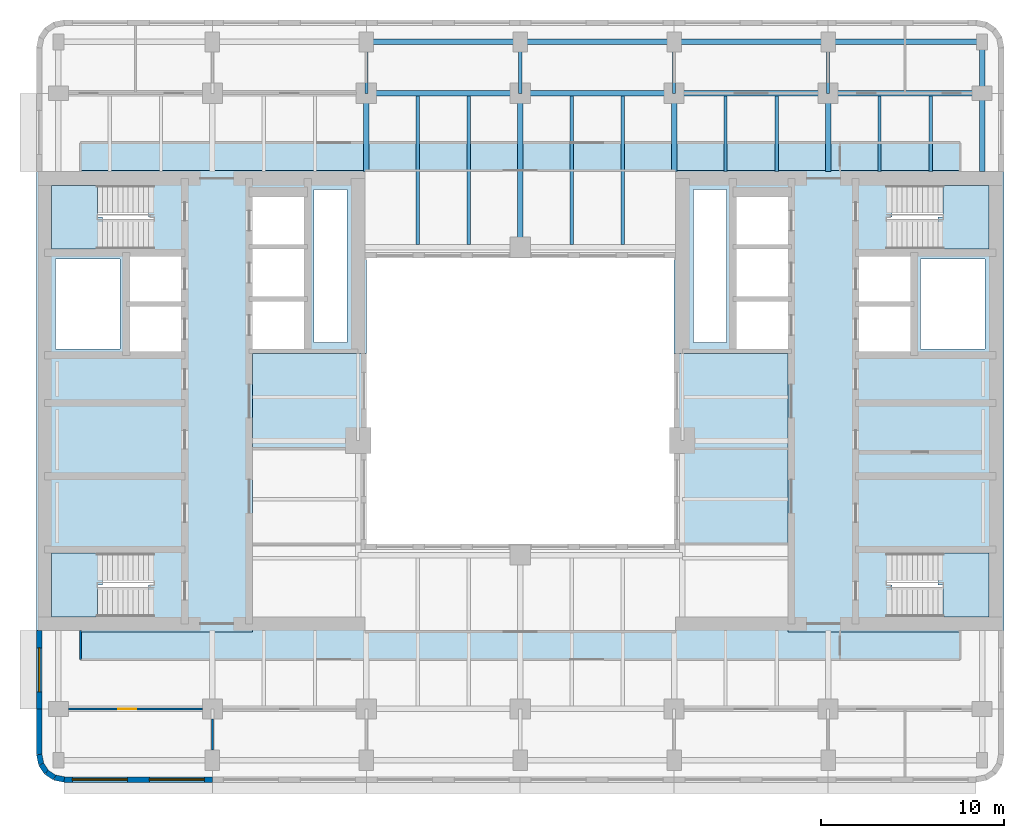
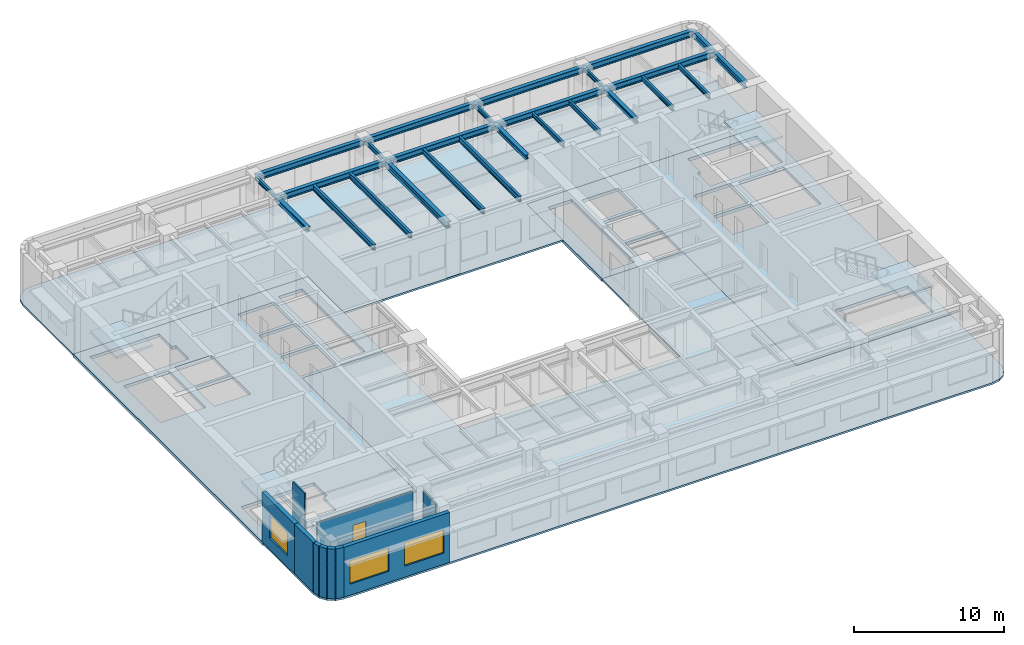
# One storey, part 2 of 11: 26 beams, 10 walls, 8 slabs, 3 windows, 1 door, 4 openings, 4 elements without a shape of their own.
"""IFC4 building model written with IfcOpenShell, lengths in metres."""

import ifcopenshell
import ifcopenshell.guid

model = None  # the IFC model being written
_history = None  # IfcOwnerHistory: only IFC2X3 demands one
_inside = {}  # id of a spatial element -> (the spatial element, [elements in it])
_under = {}  # id of a project, library or spatial element -> (it, [spatial elements below it])
_declared = {}  # id of a project -> (the project, [libraries it declares])
_typed = {}  # id of a type object -> (the type object, [elements of that type])
_made_of = {}  # id of a material, layer set ... -> (it, [elements and type objects made of it])


def new_model(schema):
    """Start an empty IFC model of exactly this schema.

    Asked for "IFC4X3", IfcOpenShell would pick the latest addendum, in which some entities
    have other attributes; the version numbers below select the first issue.
    IFC2X3 requires an IfcOwnerHistory on every rooted entity: one is made here for all.
    """
    global model, _history
    if schema == "IFC4X3":
        model = ifcopenshell.file(schema_version=(4, 3, 0, 0))
    else:
        model = ifcopenshell.file(schema=schema)
    _inside.clear()
    _under.clear()
    _declared.clear()
    _typed.clear()
    _made_of.clear()
    _history = None
    if model.schema == "IFC2X3":
        org = make("IfcOrganization", Name="unknown")
        user = make(
            "IfcPersonAndOrganization",
            ThePerson=make("IfcPerson", FamilyName="unknown"),
            TheOrganization=org,
        )
        app = make(
            "IfcApplication",
            ApplicationDeveloper=org,
            Version="unknown",
            ApplicationFullName="unknown",
            ApplicationIdentifier="unknown",
        )
        _history = make(
            "IfcOwnerHistory",
            OwningUser=user,
            OwningApplication=app,
            ChangeAction="ADDED",
            CreationDate=0,
        )
    return model


def make(cls, **values):
    """One entity of the class cls with the attributes given. An attribute that is None is left unset."""
    return model.create_entity(
        cls, **{name: value for name, value in values.items() if value is not None}
    )


def rooted(cls, **values):
    """An entity with a GlobalId (a new one), such as an element, a storey or a relation."""
    return make(cls, GlobalId=ifcopenshell.guid.new(), OwnerHistory=_history, **values)


def si_unit(unit_type, name, prefix=None):
    """IfcSIUnit, for example si_unit("LENGTHUNIT", "METRE", prefix="MILLI")."""
    return make("IfcSIUnit", UnitType=unit_type, Prefix=prefix, Name=name)


def assignment(units):
    """IfcUnitAssignment: the units of a project."""
    return None if units is None else make("IfcUnitAssignment", Units=units)


def point(xyz):
    """IfcCartesianPoint."""
    return None if xyz is None else make("IfcCartesianPoint", Coordinates=xyz)


def direction(xyz):
    """IfcDirection."""
    return None if xyz is None else make("IfcDirection", DirectionRatios=xyz)


def frame(location, z_axis=None, x_axis=None):
    """IfcAxis2Placement3D, a coordinate frame: its origin and axes. An axis left out is left unset."""
    return make(
        "IfcAxis2Placement3D",
        Location=point(location),
        Axis=direction(z_axis),
        RefDirection=direction(x_axis),
    )


def frame_2d(location, x_axis=None):
    """IfcAxis2Placement2D, a coordinate frame in the plane: its origin and x axis."""
    return make(
        "IfcAxis2Placement2D", Location=point(location), RefDirection=direction(x_axis)
    )


def origin():
    """The frame at (0, 0, 0) with its axes left unset."""
    return frame((0.0, 0.0, 0.0))


def origin_2d():
    """The frame at (0, 0) in the plane with its x axis left unset."""
    return frame_2d((0.0, 0.0))


def place(relative_to, where):
    """IfcLocalPlacement: puts the frame where relative to a parent placement (None: the world)."""
    return make(
        "IfcLocalPlacement", PlacementRelTo=relative_to, RelativePlacement=where
    )


def context(
    kind, dimensions, precision=None, world=None, true_north=None, identifier=None
):
    """IfcGeometricRepresentationContext, for example the 3D "Model" context."""
    return make(
        "IfcGeometricRepresentationContext",
        ContextIdentifier=identifier,
        ContextType=kind,
        CoordinateSpaceDimension=dimensions,
        Precision=precision,
        WorldCoordinateSystem=world,
        TrueNorth=true_north,
    )


def subcontext(parent, identifier, kind, view, scale=None):
    """IfcGeometricRepresentationSubContext, for example "Body" below "Model"."""
    return make(
        "IfcGeometricRepresentationSubContext",
        ContextIdentifier=identifier,
        ContextType=kind,
        ParentContext=parent,
        TargetScale=scale,
        TargetView=view,
    )


def project(units=None, contexts=None):
    """IfcProject with its units and contexts."""
    return rooted(
        "IfcProject",
        Name="project",
        RepresentationContexts=contexts,
        UnitsInContext=assignment(units),
    )


def spatial(cls, under=None, at=None, **own):
    """A site, building, storey or space (cls), placed at a placement, below another one or the project."""
    s = rooted(cls, ObjectPlacement=at, **own)
    if under is not None:
        _under.setdefault(under.id(), (under, []))[1].append(s)
    return s


def polyline(points):
    """IfcPolyline through the points."""
    return make("IfcPolyline", Points=[point(p) for p in points])


def profile(cls, at=None, kind="AREA", **sizes):
    """A parametric profile (cls). Its sizes go by their IFC names, for example OverallWidth=200.0."""
    return make(cls, ProfileType=kind, Position=at, **sizes)


def rectangle(**sizes):
    """IfcRectangleProfileDef."""
    return profile("IfcRectangleProfileDef", **sizes)


def i_section(**sizes):
    """IfcIShapeProfileDef."""
    return profile("IfcIShapeProfileDef", **sizes)


def outline(outer, holes=None, kind="AREA"):
    """IfcArbitraryClosedProfileDef: a profile drawn as a closed curve; with holes, ...WithVoids."""
    if holes is None:
        return make("IfcArbitraryClosedProfileDef", ProfileType=kind, OuterCurve=outer)
    return make(
        "IfcArbitraryProfileDefWithVoids",
        ProfileType=kind,
        OuterCurve=outer,
        InnerCurves=holes,
    )


def extrude(swept, where, along, depth):
    """IfcExtrudedAreaSolid: the profile swept, set in the frame where, extruded along a direction by depth."""
    return make(
        "IfcExtrudedAreaSolid",
        SweptArea=swept,
        Position=where,
        ExtrudedDirection=direction(along),
        Depth=depth,
    )


def shape(context_of_items, identifier, shape_type, items):
    """IfcShapeRepresentation: the items that make up one representation, for example the "Body"."""
    return make(
        "IfcShapeRepresentation",
        ContextOfItems=context_of_items,
        RepresentationIdentifier=identifier,
        RepresentationType=shape_type,
        Items=items,
    )


def material(Name=None, Category=None):
    """IfcMaterial."""
    return make("IfcMaterial", Name=Name, Category=Category)


def layer(
    of_material, thickness, ventilated=None, Name=None, Category=None, Priority=None
):
    """IfcMaterialLayer: one layer of a wall or slab, of a material (None: an air gap)."""
    return make(
        "IfcMaterialLayer",
        Material=of_material,
        LayerThickness=thickness,
        IsVentilated=ventilated,
        Name=Name,
        Category=Category,
        Priority=Priority,
    )


def layer_set(layers, Name=None):
    """IfcMaterialLayerSet."""
    return make("IfcMaterialLayerSet", MaterialLayers=layers, LayerSetName=Name)


def material_profile(
    of_material, cross_section, Name=None, Category=None, Priority=None
):
    """IfcMaterialProfile: a cross section and its material."""
    return make(
        "IfcMaterialProfile",
        Name=Name,
        Material=of_material,
        Profile=cross_section,
        Priority=Priority,
        Category=Category,
    )


def profile_set(profiles, Name=None, composite=None):
    """IfcMaterialProfileSet."""
    return make(
        "IfcMaterialProfileSet",
        Name=Name,
        MaterialProfiles=profiles,
        CompositeProfile=composite,
    )


def made_of(thing, what):
    """Note that an element or type object is made of a material, layer set ...; save() writes the relation."""
    if what is not None:
        _made_of.setdefault(what.id(), (what, []))[1].append(thing)
    return thing


def type_object(cls, material=None, **own):
    """A type object (cls), such as IfcWallType, which elements share."""
    return made_of(rooted(cls, **own), material)


def element(
    cls,
    number,
    at=None,
    inside=None,
    cuts=None,
    type_object=None,
    material=None,
    context=None,
    identifier="Body",
    shape_type=None,
    held_by="IfcProductDefinitionShape",
    body=None,
    shapes=None,
    **own,
):
    """One element of the class cls, such as IfcWall. Its Tag is "e" and its number.

    at: its placement. inside: the storey or other place that contains it. cuts: it is an
    opening in that element (IfcRelVoidsElement). A single representation is given by context,
    identifier, shape_type and body (its items); several are given by shapes. held_by: the class
    of the entity that holds the representations. save() writes the other relations.
    """
    e = rooted(cls, Tag="e%d" % number, ObjectPlacement=at, **own)
    if body is not None:
        shapes = [shape(context, identifier, shape_type, body)]
    if shapes is not None:
        e.Representation = make(held_by, Representations=shapes)
    if inside is not None:
        _inside.setdefault(inside.id(), (inside, []))[1].append(e)
    if cuts is not None:
        rooted(
            "IfcRelVoidsElement", RelatingBuildingElement=cuts, RelatedOpeningElement=e
        )
    if type_object is not None:
        _typed.setdefault(type_object.id(), (type_object, []))[1].append(e)
    return made_of(e, material)


def fill(opening, filler):
    """IfcRelFillsElement: the door or window that sits in an opening."""
    return rooted(
        "IfcRelFillsElement",
        RelatingOpeningElement=opening,
        RelatedBuildingElement=filler,
    )


def aggregate(whole, parts):
    """IfcRelAggregates: a whole, such as a stair, and the parts it consists of."""
    return rooted("IfcRelAggregates", RelatingObject=whole, RelatedObjects=parts)


def save(model, path):
    """Write the relations noted so far, then the file.

    IfcRelAggregates (storeys below a building ...), IfcRelContainedInSpatialStructure (elements
    in a storey), IfcRelDefinesByType, IfcRelAssociatesMaterial and IfcRelDeclares: one each for
    every whole, place, type object, material and project.
    """
    for whole, parts in _under.values():
        aggregate(whole, parts)
    for where, things in _inside.values():
        rooted(
            "IfcRelContainedInSpatialStructure",
            RelatedElements=things,
            RelatingStructure=where,
        )
    for kind, things in _typed.values():
        rooted("IfcRelDefinesByType", RelatedObjects=things, RelatingType=kind)
    for what, things in _made_of.values():
        rooted("IfcRelAssociatesMaterial", RelatedObjects=things, RelatingMaterial=what)
    for by, libraries in _declared.values():
        rooted("IfcRelDeclares", RelatingContext=by, RelatedDefinitions=libraries)
    model.write(path)


model = new_model("IFC4")

# Units and contexts
model_context = context("Model", 3, precision=1e-05, world=origin(), true_north=direction((0.0, 1.0)))
body_context = subcontext(model_context, "Body", "Model", "MODEL_VIEW")
ifc_project = project(units=[si_unit("LENGTHUNIT", "METRE"), si_unit("AREAUNIT", "SQUARE_METRE"), si_unit("VOLUMEUNIT", "CUBIC_METRE"), si_unit("PLANEANGLEUNIT", "RADIAN"), si_unit("MASSUNIT", "GRAM", prefix="KILO")], contexts=[model_context])

# Site, building, storey
site_placement = place(None, origin())
site = spatial("IfcSite", under=ifc_project, at=site_placement, CompositionType="ELEMENT")
building_placement = place(site_placement, origin())
building = spatial("IfcBuilding", under=site, at=building_placement, Name="Claustro Exchange Tower", CompositionType="ELEMENT")
storey_placement = place(building_placement, frame((0.0, 0.0, 186.0)))
storey = spatial("IfcBuildingStorey", under=building, at=storey_placement, Name="L42", CompositionType="ELEMENT", Elevation=186.0)

# Beams
ifc_material_1 = material(Name="Steel S355", Category="steel")
ifc_material_profile_1 = material_profile(ifc_material_1, i_section(OverallWidth=0.169921875, OverallDepth=0.360107421875, WebThickness=0.008056640625, FlangeThickness=0.0126953125, FilletRadius=0.01806640625, at=origin_2d()), Name="IPE 360")
ifc_profile_set_1 = profile_set([ifc_material_profile_1], Name="Steel S355")
beam_type_1 = type_object("IfcBeamType", Name="B16 IPE 360 short-span beam", PredefinedType="BEAM", material=ifc_profile_set_1)
for number, where, z_axis, x_axis, name in (
    (1, (16.800048828125, 42.0, 3.8701171875), (0.0, 1.0, 0.0), (-1.0, 0.0, 0.0), "Beam B16 L43"),
    (2, (25.199951171875, 42.0, 3.8701171875), (0.0, 1.0, 0.0), (-1.0, 0.0, 0.0), "Beam B16 L43"),
    (3, (33.60009765625, 42.0, 3.8701171875), (0.0, 1.0, 0.0), (-1.0, 0.0, 0.0), "Beam B16 L43"),
    (4, (42.0, 42.0, 3.8701171875), (0.0, 1.0, 0.0), (-1.0, 0.0, 0.0), "Beam B16 L43"),
):
    element("IfcBeam", number, at=place(storey_placement, frame(where, z_axis=z_axis, x_axis=x_axis)), inside=storey, type_object=beam_type_1, Name=name, PredefinedType="BEAM", context=body_context, shape_type="SweptSolid", body=[
        extrude(i_section(OverallWidth=0.169921875, OverallDepth=0.360107421875, WebThickness=0.008056640625, FlangeThickness=0.0126953125, FilletRadius=0.01806640625, at=origin_2d()), origin(), (0.0, 0.0, 1.0), 2.800048828125),
    ])
for number, where, z_axis, x_axis, name in (
    (5, (36.39990234375, 37.72509765625, 3.8701171875), (0.0, 1.0, 0.0), (-1.0, 0.0, 0.0), "Beam B16 L43"),
    (6, (39.199951171875, 37.72509765625, 3.8701171875), (0.0, 1.0, 0.0), (-1.0, 0.0, 0.0), "Beam B16 L43"),
    (7, (44.800048828125, 37.72509765625, 3.8701171875), (0.0, 1.0, 0.0), (-1.0, 0.0, 0.0), "Beam B16 L43"),
    (8, (47.60009765625, 37.72509765625, 3.8701171875), (0.0, 1.0, 0.0), (-1.0, 0.0, 0.0), "Beam B16 L43"),
):
    element("IfcBeam", number, at=place(storey_placement, frame(where, z_axis=z_axis, x_axis=x_axis)), inside=storey, type_object=beam_type_1, Name=name, PredefinedType="BEAM", context=body_context, shape_type="SweptSolid", body=[
        extrude(i_section(OverallWidth=0.169921875, OverallDepth=0.360107421875, WebThickness=0.008056640625, FlangeThickness=0.0126953125, FilletRadius=0.01806640625, at=origin_2d()), origin(), (0.0, 0.0, 1.0), 4.125),
    ])
ifc_material_2 = material(Name="Steel S355", Category="steel")
ifc_material_profile_2 = material_profile(ifc_material_2, i_section(OverallWidth=0.300048828125, OverallDepth=0.360107421875, WebThickness=0.012451171875, FlangeThickness=0.0224609375, FilletRadius=0.027099609375, at=origin_2d()), Name="HE 360 B")
ifc_profile_set_2 = profile_set([ifc_material_profile_2], Name="Steel S355")
beam_type_2 = type_object("IfcBeamType", Name="B29 HE 360 B column to core link beam", PredefinedType="BEAM", material=ifc_profile_set_2)
for number, where, z_axis, x_axis, name in (
    (9, (16.800048828125, 37.72509765625, 3.8701171875), (0.0, 1.0, 0.0), (-1.0, 0.0, 0.0), "Beam B29 L43"),
    (10, (33.60009765625, 37.72509765625, 3.8701171875), (0.0, 1.0, 0.0), (-1.0, 0.0, 0.0), "Beam B29 L43"),
    (11, (42.0, 37.72509765625, 3.8701171875), (0.0, 1.0, 0.0), (-1.0, 0.0, 0.0), "Beam B29 L43"),
):
    element("IfcBeam", number, at=place(storey_placement, frame(where, z_axis=z_axis, x_axis=x_axis)), inside=storey, type_object=beam_type_2, Name=name, PredefinedType="BEAM", context=body_context, shape_type="SweptSolid", body=[
        extrude(i_section(OverallWidth=0.300048828125, OverallDepth=0.360107421875, WebThickness=0.012451171875, FlangeThickness=0.0224609375, FilletRadius=0.027099609375, at=origin_2d()), origin(), (0.0, 0.0, 1.0), 4.27490234375),
    ])
ifc_material_3 = material(Name="Steel S355", Category="steel")
ifc_material_profile_3 = material_profile(ifc_material_3, i_section(OverallWidth=0.300048828125, OverallDepth=0.5, WebThickness=0.014404296875, FlangeThickness=0.028076171875, FilletRadius=0.027099609375, at=origin_2d()), Name="HE 500 B")
ifc_profile_set_3 = profile_set([ifc_material_profile_3], Name="Steel S355")
beam_type_3 = type_object("IfcBeamType", Name="B7 HE 500 B floor girder", PredefinedType="BEAM", material=ifc_profile_set_3)
for number, where, z_axis, x_axis, name in (
    (12, (25.199951171875, 33.60009765625, 3.800048828125), (0.0, 1.0, 0.0), (-1.0, 0.0, 0.0), "Beam B7 L43"),
    (13, (16.800048828125, 42.0, 3.800048828125), (1.0, 0.0, 0.0), (0.0, 1.0, 0.0), "Beam B7 L43"),
):
    element("IfcBeam", number, at=place(storey_placement, frame(where, z_axis=z_axis, x_axis=x_axis)), inside=storey, type_object=beam_type_3, Name=name, PredefinedType="BEAM", context=body_context, shape_type="SweptSolid", body=[
        extrude(i_section(OverallWidth=0.300048828125, OverallDepth=0.5, WebThickness=0.014404296875, FlangeThickness=0.028076171875, FilletRadius=0.027099609375, at=origin_2d()), origin(), (0.0, 0.0, 1.0), 8.39990234375),
    ])
beam_1_placement = place(storey_placement, frame((25.199951171875, 42.0, 3.800048828125), z_axis=(1.0, 0.0, 0.0), x_axis=(0.0, 1.0, 0.0)))
element("IfcBeam", 14, at=beam_1_placement, inside=storey, type_object=beam_type_3, Name="Beam B7 L43", PredefinedType="BEAM", context=body_context, shape_type="SweptSolid", body=[
    extrude(i_section(OverallWidth=0.300048828125, OverallDepth=0.5, WebThickness=0.014404296875, FlangeThickness=0.028076171875, FilletRadius=0.027099609375, at=origin_2d()), origin(), (0.0, 0.0, 1.0), 8.400146484375),
])
for number, where, z_axis, x_axis, name in (
    (15, (33.60009765625, 42.0, 3.800048828125), (1.0, 0.0, 0.0), (0.0, 1.0, 0.0), "Beam B7 L43"),
    (16, (42.0, 42.0, 3.800048828125), (1.0, 0.0, 0.0), (0.0, 1.0, 0.0), "Beam B7 L43"),
):
    element("IfcBeam", number, at=place(storey_placement, frame(where, z_axis=z_axis, x_axis=x_axis)), inside=storey, type_object=beam_type_3, Name=name, PredefinedType="BEAM", context=body_context, shape_type="SweptSolid", body=[
        extrude(i_section(OverallWidth=0.300048828125, OverallDepth=0.5, WebThickness=0.014404296875, FlangeThickness=0.028076171875, FilletRadius=0.027099609375, at=origin_2d()), origin(), (0.0, 0.0, 1.0), 8.39990234375),
    ])
ifc_material_4 = material(Name="Steel S355", Category="steel")
ifc_material_profile_4 = material_profile(ifc_material_4, i_section(OverallWidth=0.18994140625, OverallDepth=0.449951171875, WebThickness=0.009521484375, FlangeThickness=0.0146484375, FilletRadius=0.02099609375, at=origin_2d()), Name="IPE 450")
ifc_profile_set_4 = profile_set([ifc_material_profile_4], Name="Steel S355")
beam_type_4 = type_object("IfcBeamType", Name="B8 IPE 450 secondary beam", PredefinedType="BEAM", material=ifc_profile_set_4)
for number, where, z_axis, x_axis, name in (
    (17, (19.60009765625, 33.75, 3.824951171875), (0.0, 1.0, 0.0), (-1.0, 0.0, 0.0), "Beam B8 L43"),
    (18, (22.39990234375, 33.75, 3.824951171875), (0.0, 1.0, 0.0), (-1.0, 0.0, 0.0), "Beam B8 L43"),
    (19, (28.0, 33.75, 3.824951171875), (0.0, 1.0, 0.0), (-1.0, 0.0, 0.0), "Beam B8 L43"),
    (20, (30.800048828125, 33.75, 3.824951171875), (0.0, 1.0, 0.0), (-1.0, 0.0, 0.0), "Beam B8 L43"),
):
    element("IfcBeam", number, at=place(storey_placement, frame(where, z_axis=z_axis, x_axis=x_axis)), inside=storey, type_object=beam_type_4, Name=name, PredefinedType="BEAM", context=body_context, shape_type="SweptSolid", body=[
        extrude(i_section(OverallWidth=0.18994140625, OverallDepth=0.449951171875, WebThickness=0.009521484375, FlangeThickness=0.0146484375, FilletRadius=0.02099609375, at=origin_2d()), origin(), (0.0, 0.0, 1.0), 8.10009765625),
    ])
ifc_material_5 = material(Name="Steel S355", Category="steel")
ifc_material_profile_5 = material_profile(ifc_material_5, i_section(OverallWidth=0.300048828125, OverallDepth=0.489990234375, WebThickness=0.011962890625, FlangeThickness=0.02294921875, FilletRadius=0.027099609375, at=origin_2d()), Name="HE 500 A")
ifc_profile_set_5 = profile_set([ifc_material_profile_5], Name="Steel S355")
beam_type_5 = type_object("IfcBeamType", Name="B9 HE 500 A spandrel edge girder", PredefinedType="SPANDREL", material=ifc_profile_set_5)
beam_2_placement = place(storey_placement, frame((50.39990234375, 37.72509765625, 3.804931640625), z_axis=(0.0, 1.0, 0.0), x_axis=(-1.0, 0.0, 0.0)))
element("IfcBeam", 21, at=beam_2_placement, inside=storey, type_object=beam_type_5, Name="Beam B9 L43", PredefinedType="SPANDREL", context=body_context, shape_type="SweptSolid", body=[
    extrude(i_section(OverallWidth=0.300048828125, OverallDepth=0.489990234375, WebThickness=0.011962890625, FlangeThickness=0.02294921875, FilletRadius=0.027099609375, at=origin_2d()), origin(), (0.0, 0.0, 1.0), 4.27490234375),
])
beam_3_placement = place(storey_placement, frame((50.39990234375, 42.0, 3.804931640625), z_axis=(0.0, 1.0, 0.0), x_axis=(-1.0, 0.0, 0.0)))
element("IfcBeam", 22, at=beam_3_placement, inside=storey, type_object=beam_type_5, Name="Beam B9 L43", PredefinedType="SPANDREL", context=body_context, shape_type="SweptSolid", body=[
    extrude(i_section(OverallWidth=0.300048828125, OverallDepth=0.489990234375, WebThickness=0.011962890625, FlangeThickness=0.02294921875, FilletRadius=0.027099609375, at=origin_2d()), origin(), (0.0, 0.0, 1.0), 2.800048828125),
])
beam_4_placement = place(storey_placement, frame((16.800048828125, 44.800048828125, 3.804931640625), z_axis=(1.0, 0.0, 0.0), x_axis=(0.0, 1.0, 0.0)))
element("IfcBeam", 23, at=beam_4_placement, inside=storey, type_object=beam_type_5, Name="Beam B9 L43", PredefinedType="SPANDREL", context=body_context, shape_type="SweptSolid", body=[
    extrude(i_section(OverallWidth=0.300048828125, OverallDepth=0.489990234375, WebThickness=0.011962890625, FlangeThickness=0.02294921875, FilletRadius=0.027099609375, at=origin_2d()), origin(), (0.0, 0.0, 1.0), 8.39990234375),
])
beam_5_placement = place(storey_placement, frame((25.199951171875, 44.800048828125, 3.804931640625), z_axis=(1.0, 0.0, 0.0), x_axis=(0.0, 1.0, 0.0)))
element("IfcBeam", 24, at=beam_5_placement, inside=storey, type_object=beam_type_5, Name="Beam B9 L43", PredefinedType="SPANDREL", context=body_context, shape_type="SweptSolid", body=[
    extrude(i_section(OverallWidth=0.300048828125, OverallDepth=0.489990234375, WebThickness=0.011962890625, FlangeThickness=0.02294921875, FilletRadius=0.027099609375, at=origin_2d()), origin(), (0.0, 0.0, 1.0), 8.400146484375),
])
for number, where, z_axis, x_axis, name in (
    (25, (33.60009765625, 44.800048828125, 3.804931640625), (1.0, 0.0, 0.0), (0.0, 1.0, 0.0), "Beam B9 L43"),
    (26, (42.0, 44.800048828125, 3.804931640625), (1.0, 0.0, 0.0), (0.0, 1.0, 0.0), "Beam B9 L43"),
):
    element("IfcBeam", number, at=place(storey_placement, frame(where, z_axis=z_axis, x_axis=x_axis)), inside=storey, type_object=beam_type_5, Name=name, PredefinedType="SPANDREL", context=body_context, shape_type="SweptSolid", body=[
        extrude(i_section(OverallWidth=0.300048828125, OverallDepth=0.489990234375, WebThickness=0.011962890625, FlangeThickness=0.02294921875, FilletRadius=0.027099609375, at=origin_2d()), origin(), (0.0, 0.0, 1.0), 8.39990234375),
    ])

# Slabs
ifc_material_6 = material(Name="Concrete HA-50 (C50/60)", Category="concrete")
ifc_layer_1 = layer(ifc_material_6, 0.14990234375)
ifc_layer_set_1 = layer_set([ifc_layer_1], Name="Concrete HA-50 (C50/60)")
slab_type_1 = type_object("IfcSlabType", Name="S2 150 composite floor slab", PredefinedType="FLOOR", material=ifc_layer_set_1)
slab_1_placement = place(storey_placement, frame((0.0, 0.0, -0.14990234375)))
element("IfcSlab", 27, at=slab_1_placement, inside=storey, type_object=slab_type_1, Name="Floor slab S2 S L42", PredefinedType="FLOOR", context=body_context, shape_type="SweptSolid", body=[
    extrude(outline(polyline([(-0.27392578125, 4.51416015625), (0.300048828125, 4.39990234375), (50.10009765625, 4.39990234375), (50.674072265625, 4.51416015625), (51.16064453125, 4.83935546875), (51.48583984375, 5.325927734375), (51.60009765625, 5.89990234375), (51.60009765625, 12.60009765625), (39.800048828125, 12.60009765625), (39.800048828125, 27.800048828125), (33.60009765625, 27.800048828125), (33.60009765625, 17.39990234375), (16.800048828125, 17.39990234375), (16.800048828125, 27.800048828125), (10.60009765625, 27.800048828125), (10.60009765625, 12.60009765625), (-1.199951171875, 12.60009765625), (-1.199951171875, 5.89990234375), (-1.085693359375, 5.325927734375), (-0.7607421875, 4.83935546875), (-0.27392578125, 4.51416015625)])), origin(), (0.0, 0.0, 1.0), 0.14990234375),
])
slab_2_placement = place(storey_placement, frame((0.0, 0.0, -0.14990234375)))
element("IfcSlab", 28, at=slab_2_placement, inside=storey, type_object=slab_type_1, Name="Floor slab S2 N L42", PredefinedType="FLOOR", context=body_context, shape_type="SweptSolid", body=[
    extrude(outline(polyline([(16.800048828125, 37.800048828125), (16.800048828125, 33.0), (33.60009765625, 33.0), (33.60009765625, 37.800048828125), (51.60009765625, 37.800048828125), (51.60009765625, 44.5), (51.48583984375, 45.073974609375), (51.16064453125, 45.560791015625), (50.674072265625, 45.8857421875), (50.10009765625, 46.0), (0.300048828125, 46.0), (-0.27392578125, 45.8857421875), (-0.7607421875, 45.560791015625), (-1.085693359375, 45.073974609375), (-1.199951171875, 44.5), (-1.199951171875, 37.800048828125), (16.800048828125, 37.800048828125)])), origin(), (0.0, 0.0, 1.0), 0.14990234375),
])
ifc_material_7 = material(Name="Concrete HA-50 (C50/60)", Category="concrete")
ifc_layer_2 = layer(ifc_material_7, 0.25)
ifc_layer_set_2 = layer_set([ifc_layer_2], Name="Concrete HA-50 (C50/60)")
slab_type_2 = type_object("IfcSlabType", Name="S7 250 core floor slab", PredefinedType="FLOOR", material=ifc_layer_set_2)
slab_3_placement = place(storey_placement, frame((0.0, 0.0, -0.25)))
element("IfcSlab", 29, at=slab_3_placement, inside=storey, type_object=slab_type_2, Name="Core floor slab S7 W core L42", PredefinedType="FLOOR", context=body_context, shape_type="SweptSolid", body=[
    extrude(outline(polyline([(-1.199951171875, 37.800048828125), (-1.199951171875, 12.60009765625), (10.60009765625, 12.60009765625), (10.60009765625, 27.800048828125), (16.800048828125, 27.800048828125), (16.800048828125, 37.800048828125), (-1.199951171875, 37.800048828125)]), holes=[polyline([(13.949951171875, 36.75), (15.75, 36.75), (15.75, 28.39990234375), (13.949951171875, 28.39990234375), (13.949951171875, 36.75)]), polyline([(10.60009765625, 30.64990234375), (13.39990234375, 30.64990234375), (13.39990234375, 28.050048828125), (10.60009765625, 28.050048828125), (10.60009765625, 30.64990234375)]), polyline([(10.60009765625, 33.5), (13.39990234375, 33.5), (13.39990234375, 30.89990234375), (10.60009765625, 30.89990234375), (10.60009765625, 33.5)]), polyline([(13.39990234375, 36.35009765625), (13.39990234375, 33.75), (10.60009765625, 33.75), (10.60009765625, 36.35009765625), (13.39990234375, 36.35009765625)]), polyline([(3.89990234375, 30.375), (6.699951171875, 30.375), (6.699951171875, 27.89990234375), (3.89990234375, 27.89990234375), (3.89990234375, 30.375)]), polyline([(3.89990234375, 33.10009765625), (6.699951171875, 33.10009765625), (6.699951171875, 30.625), (3.89990234375, 30.625), (3.89990234375, 33.10009765625)]), polyline([(-0.375, 15.16259765625), (-0.375, 16.89990234375), (5.195068359375, 16.89990234375), (5.195068359375, 15.16259765625), (4.919921875, 15.16259765625), (4.919921875, 13.425048828125), (-0.375, 13.425048828125), (-0.375, 15.16259765625)]), polyline([(-0.375, 35.237548828125), (-0.375, 36.97509765625), (4.919921875, 36.97509765625), (4.919921875, 35.237548828125), (5.195068359375, 35.237548828125), (5.195068359375, 33.5), (-0.375, 33.5), (-0.375, 35.237548828125)]), polyline([(-0.14990234375, 32.949951171875), (3.35009765625, 32.949951171875), (3.35009765625, 28.050048828125), (-0.14990234375, 28.050048828125), (-0.14990234375, 32.949951171875)])]), origin(), (0.0, 0.0, 1.0), 0.25),
])
slab_4_placement = place(storey_placement, frame((0.0, 0.0, -0.25)))
element("IfcSlab", 30, at=slab_4_placement, inside=storey, type_object=slab_type_2, Name="Core floor slab S7 E core L42", PredefinedType="FLOOR", context=body_context, shape_type="SweptSolid", body=[
    extrude(outline(polyline([(51.60009765625, 37.800048828125), (33.60009765625, 37.800048828125), (33.60009765625, 27.800048828125), (39.800048828125, 27.800048828125), (39.800048828125, 12.60009765625), (51.60009765625, 12.60009765625), (51.60009765625, 37.800048828125)]), holes=[polyline([(45.47998046875, 15.16259765625), (45.205078125, 15.16259765625), (45.205078125, 16.89990234375), (50.77490234375, 16.89990234375), (50.77490234375, 15.16259765625), (50.77490234375, 13.425048828125), (45.47998046875, 13.425048828125), (45.47998046875, 15.16259765625)]), polyline([(45.47998046875, 35.237548828125), (45.47998046875, 36.97509765625), (50.77490234375, 36.97509765625), (50.77490234375, 35.237548828125), (50.77490234375, 33.5), (45.205078125, 33.5), (45.205078125, 35.237548828125), (45.47998046875, 35.237548828125)]), polyline([(47.050048828125, 32.949951171875), (50.550048828125, 32.949951171875), (50.550048828125, 28.050048828125), (47.050048828125, 28.050048828125), (47.050048828125, 32.949951171875)]), polyline([(43.699951171875, 30.375), (46.5, 30.375), (46.5, 27.89990234375), (43.699951171875, 27.89990234375), (43.699951171875, 30.375)]), polyline([(43.699951171875, 33.10009765625), (46.5, 33.10009765625), (46.5, 30.625), (43.699951171875, 30.625), (43.699951171875, 33.10009765625)]), polyline([(37.0, 30.64990234375), (39.800048828125, 30.64990234375), (39.800048828125, 28.050048828125), (37.0, 28.050048828125), (37.0, 30.64990234375)]), polyline([(37.0, 33.5), (39.800048828125, 33.5), (39.800048828125, 30.89990234375), (37.0, 30.89990234375), (37.0, 33.5)]), polyline([(39.800048828125, 36.35009765625), (39.800048828125, 33.75), (37.0, 33.75), (37.0, 36.35009765625), (39.800048828125, 36.35009765625)]), polyline([(34.64990234375, 36.75), (36.449951171875, 36.75), (36.449951171875, 28.39990234375), (34.64990234375, 28.39990234375), (34.64990234375, 36.75)])]), origin(), (0.0, 0.0, 1.0), 0.25),
])

# Stair, slab
ifc_material_8 = material(Name="Concrete HA-30 (C30/37), precast", Category="concrete")
stair_type = type_object("IfcStairType", Name="ST1 half-turn stair, 24 risers of 175", PredefinedType="HALF_TURN_STAIR", material=ifc_material_8)
stair_1_placement = place(storey_placement, origin())
stair_1 = element("IfcStair", 31, at=stair_1_placement, inside=storey, type_object=stair_type, Name="Stair STWA L42", PredefinedType="HALF_TURN_STAIR")
ifc_material_9 = material(Name="Concrete HA-30 (C30/37), precast", Category="concrete")
ifc_layer_3 = layer(ifc_material_9, 0.199951171875)
ifc_layer_set_3 = layer_set([ifc_layer_3], Name="Concrete HA-30 (C30/37), precast")
slab_type_3 = type_object("IfcSlabType", Name="S9 200 stair landing", PredefinedType="LANDING", material=ifc_layer_set_3)
slab_5_placement = place(storey_placement, frame((0.0, 0.0, 1.89990234375)))
slab_5 = element("IfcSlab", 32, at=slab_5_placement, type_object=slab_type_3, Name="STWA landing 1", PredefinedType="LANDING", context=body_context, shape_type="SweptSolid", body=[
    extrude(outline(polyline([(2.125, 13.425048828125), (-0.375, 13.425048828125), (-0.375, 16.89990234375), (2.1201171875, 16.89990234375), (2.125, 16.89990234375), (2.39990234375, 16.89990234375), (2.39990234375, 15.16259765625), (2.125, 15.16259765625), (2.125, 13.425048828125)])), origin(), (0.0, 0.0, 1.0), 0.2001953125),
])
aggregate(stair_1, [slab_5])

stair_2_placement = place(storey_placement, origin())
stair_2 = element("IfcStair", 33, at=stair_2_placement, inside=storey, type_object=stair_type, Name="Stair STWB L42", PredefinedType="HALF_TURN_STAIR")
slab_6_placement = place(storey_placement, frame((0.0, 0.0, 1.89990234375)))
slab_6 = element("IfcSlab", 34, at=slab_6_placement, type_object=slab_type_3, Name="STWB landing 1", PredefinedType="LANDING", context=body_context, shape_type="SweptSolid", body=[
    extrude(outline(polyline([(2.39990234375, 35.237548828125), (2.39990234375, 33.5), (2.125, 33.5), (2.1201171875, 33.5), (-0.375, 33.5), (-0.375, 36.97509765625), (2.125, 36.97509765625), (2.125, 35.237548828125), (2.39990234375, 35.237548828125)])), origin(), (0.0, 0.0, 1.0), 0.2001953125),
])
aggregate(stair_2, [slab_6])

stair_3_placement = place(storey_placement, origin())
stair_3 = element("IfcStair", 35, at=stair_3_placement, inside=storey, type_object=stair_type, Name="Stair STEA L42", PredefinedType="HALF_TURN_STAIR")
slab_7_placement = place(storey_placement, frame((0.0, 0.0, 1.89990234375)))
slab_7 = element("IfcSlab", 36, at=slab_7_placement, type_object=slab_type_3, Name="STEA landing 1", PredefinedType="LANDING", context=body_context, shape_type="SweptSolid", body=[
    extrude(outline(polyline([(50.77490234375, 16.89990234375), (50.77490234375, 13.425048828125), (48.27490234375, 13.425048828125), (48.27490234375, 15.16259765625), (48.0, 15.16259765625), (48.0, 16.89990234375), (48.27490234375, 16.89990234375), (48.280029296875, 16.89990234375), (50.77490234375, 16.89990234375)])), origin(), (0.0, 0.0, 1.0), 0.2001953125),
])
aggregate(stair_3, [slab_7])

stair_4_placement = place(storey_placement, origin())
stair_4 = element("IfcStair", 37, at=stair_4_placement, inside=storey, type_object=stair_type, Name="Stair STEB L42", PredefinedType="HALF_TURN_STAIR")
slab_8_placement = place(storey_placement, frame((0.0, 0.0, 1.89990234375)))
slab_8 = element("IfcSlab", 38, at=slab_8_placement, type_object=slab_type_3, Name="STEB landing 1", PredefinedType="LANDING", context=body_context, shape_type="SweptSolid", body=[
    extrude(outline(polyline([(48.0, 33.5), (48.0, 35.237548828125), (48.27490234375, 35.237548828125), (48.27490234375, 36.97509765625), (50.77490234375, 36.97509765625), (50.77490234375, 33.5), (48.280029296875, 33.5), (48.27490234375, 33.5), (48.0, 33.5)])), origin(), (0.0, 0.0, 1.0), 0.2001953125),
])
aggregate(stair_4, [slab_8])

# Wall, opening, door
ifc_material_10 = material(Name="Laminated glass in aluminium frame", Category="aluminium")
ifc_layer_4 = layer(ifc_material_10, 0.1201171875)
ifc_layer_set_4 = layer_set([ifc_layer_4], Name="Laminated glass in aluminium frame")
wall_type_1 = type_object("IfcWallType", Name="P2 120 glazed partition", PredefinedType="PARTITIONING", material=ifc_layer_set_4)
wall_1_placement = place(storey_placement, frame((0.549072265625, 8.39990234375, 0.0), z_axis=(0.0, 0.0, 1.0), x_axis=(1.0, 0.0, 0.0)))
wall_1 = element("IfcWall", 39, at=wall_1_placement, inside=storey, type_object=wall_type_1, Name="Partition P2 L42", PredefinedType="PARTITIONING", context=body_context, shape_type="SweptSolid", body=[
    extrude(rectangle(XDim=7.302001953125, YDim=0.1201171875, at=frame_2d((3.65087890625, 0.0))), origin(), (0.0, 0.0, 1.0), 3.550048828125),
])
opening_1_placement = place(wall_1_placement, frame((2.700927734375, 0.0, 0.0)))
opening_1 = element("IfcOpeningElement", 40, at=opening_1_placement, cuts=wall_1, Name="Opening D7", PredefinedType="OPENING", context=body_context, shape_type="SweptSolid", body=[
    extrude(rectangle(XDim=1.0, YDim=2.39990234375, at=frame_2d((0.5, 1.199951171875))), frame((0.0, 0.070068359375, 0.0), z_axis=(0.0, -1.0, 0.0), x_axis=(1.0, 0.0, 0.0)), (0.0, 0.0, 1.0), 0.14013671875),
])
ifc_material_11 = material(Name="Glass door in aluminium frame", Category="aluminium")
door_type = type_object("IfcDoorType", Name="D7 1000 x 2400 glazed door", OperationType="SINGLE_SWING_LEFT", PredefinedType="DOOR", material=ifc_material_11)
door_placement = place(opening_1_placement, frame((1.0, 0.0, 0.0), z_axis=(0.0, 0.0, 1.0), x_axis=(-1.0, 0.0, 0.0)))
door = element("IfcDoor", 41, at=door_placement, inside=storey, type_object=door_type, Name="Door D7 L42", OperationType="SINGLE_SWING_LEFT", OverallHeight=2.39990234375, OverallWidth=1.0, PredefinedType="DOOR", context=body_context, shape_type="SweptSolid", body=[
    extrude(rectangle(XDim=1.0, YDim=2.39990234375, at=frame_2d((0.5, 1.199951171875))), frame((0.0, 0.02490234375, 0.0), z_axis=(0.0, -1.0, 0.0), x_axis=(1.0, 0.0, 0.0)), (0.0, 0.0, 1.0), 0.050048828125),
])
fill(opening_1, door)

# Walls
wall_2_placement = place(storey_placement, frame((8.39990234375, 6.14892578125, 0.0), z_axis=(0.0, 0.0, 1.0), x_axis=(0.0, 1.0, 0.0)))
element("IfcWall", 42, at=wall_2_placement, inside=storey, type_object=wall_type_1, Name="Partition P2 L42", PredefinedType="PARTITIONING", context=body_context, shape_type="SweptSolid", body=[
    extrude(rectangle(XDim=1.7021484375, YDim=0.1201171875, at=frame_2d((0.85107421875, 0.0))), origin(), (0.0, 0.0, 1.0), 3.68994140625),
])
wall_3_placement = place(storey_placement, frame((1.199951171875, 11.10009765625, 0.0), z_axis=(0.0, 0.0, 1.0), x_axis=(0.0, 1.0, 0.0)))
element("IfcWall", 43, at=wall_3_placement, inside=storey, type_object=wall_type_1, Name="Partition P2 L42", PredefinedType="PARTITIONING", context=body_context, shape_type="SweptSolid", body=[
    extrude(rectangle(XDim=1.575927734375, YDim=0.1201171875, at=frame_2d((0.7880859375, 0.0))), origin(), (0.0, 0.0, 1.0), 4.050048828125),
])

# Wall, openings, windows
ifc_material_12 = material(Name="Concrete HA-40 (C40/50), precast, white cement, acid-etched", Category="concrete")
ifc_layer_5 = layer(ifc_material_12, 0.300048828125)
ifc_layer_set_5 = layer_set([ifc_layer_5], Name="Concrete HA-40 (C40/50), precast, white cement, acid-etched")
wall_type_2 = type_object("IfcWallType", Name="PC1 300 precast concrete pier panel", PredefinedType="SOLIDWALL", material=ifc_layer_set_5)
wall_4_placement = place(storey_placement, frame((8.39990234375, 4.550048828125, 0.0), z_axis=(0.0, 0.0, 1.0), x_axis=(-1.0, 0.0, 0.0)))
wall_4 = element("IfcWall", 44, at=wall_4_placement, inside=storey, type_object=wall_type_2, Name="Precast pier panel PC1 L42", PredefinedType="SOLIDWALL", context=body_context, shape_type="SweptSolid", body=[
    extrude(rectangle(XDim=8.085205078125, YDim=0.300048828125, at=frame_2d((4.04248046875, 0.0))), origin(), (0.0, 0.0, 1.0), 4.050048828125),
])
opening_2_placement = place(wall_4_placement, frame((0.442626953125, 0.0, 0.89990234375)))
opening_2 = element("IfcOpeningElement", 45, at=opening_2_placement, cuts=wall_4, Name="Opening W1", PredefinedType="OPENING", context=body_context, shape_type="SweptSolid", body=[
    extrude(rectangle(XDim=3.0, YDim=1.89990234375, at=frame_2d((1.5, 0.949951171875))), frame((0.0, 0.159912109375, 0.0), z_axis=(0.0, -1.0, 0.0), x_axis=(1.0, 0.0, 0.0)), (0.0, 0.0, 1.0), 0.320068359375),
])
opening_3_placement = place(wall_4_placement, frame((4.642578125, 0.0, 0.89990234375)))
opening_3 = element("IfcOpeningElement", 46, at=opening_3_placement, cuts=wall_4, Name="Opening W1", PredefinedType="OPENING", context=body_context, shape_type="SweptSolid", body=[
    extrude(rectangle(XDim=3.0, YDim=1.89990234375, at=frame_2d((1.5, 0.949951171875))), frame((0.0, 0.159912109375, 0.0), z_axis=(0.0, -1.0, 0.0), x_axis=(1.0, 0.0, 0.0)), (0.0, 0.0, 1.0), 0.320068359375),
])
ifc_material_13 = material(Name="Aluminium frame, clear double glazing", Category="aluminium")
window_type_1 = type_object("IfcWindowType", Name="W1 3000 x 1900 window", PartitioningType="SINGLE_PANEL", PredefinedType="WINDOW", material=ifc_material_13)
window_1_placement = place(opening_2_placement, origin())
window_1 = element("IfcWindow", 47, at=window_1_placement, inside=storey, type_object=window_type_1, Name="Window W1 L42", OverallHeight=1.89990234375, OverallWidth=3.0, PartitioningType="SINGLE_PANEL", PredefinedType="WINDOW", context=body_context, shape_type="SweptSolid", body=[
    extrude(rectangle(XDim=3.0, YDim=1.89990234375, at=frame_2d((1.5, 0.949951171875))), frame((0.0, 0.030029296875, 0.0), z_axis=(0.0, -1.0, 0.0), x_axis=(1.0, 0.0, 0.0)), (0.0, 0.0, 1.0), 0.06005859375),
])
fill(opening_2, window_1)
window_2_placement = place(opening_3_placement, origin())
window_2 = element("IfcWindow", 48, at=window_2_placement, inside=storey, type_object=window_type_1, Name="Window W1 L42", OverallHeight=1.89990234375, OverallWidth=3.0, PartitioningType="SINGLE_PANEL", PredefinedType="WINDOW", context=body_context, shape_type="SweptSolid", body=[
    extrude(rectangle(XDim=3.0, YDim=1.89990234375, at=frame_2d((1.5, 0.949951171875))), frame((0.0, 0.030029296875, 0.0), z_axis=(0.0, -1.0, 0.0), x_axis=(1.0, 0.0, 0.0)), (0.0, 0.0, 1.0), 0.06005859375),
])
fill(opening_3, window_2)

# Walls
wall_5_placement = place(storey_placement, frame((0.314697265625, 4.550048828125, 0.0), z_axis=(0.0, 0.0, 1.0), x_axis=(-0.980788534345, 0.195073962632, 0.0)))
element("IfcWall", 49, at=wall_5_placement, inside=storey, type_object=wall_type_2, Name="Precast pier panel PC1 L42", PredefinedType="SOLIDWALL", context=body_context, shape_type="SweptSolid", body=[
    extrude(rectangle(XDim=0.540771484375, YDim=0.300048828125, at=frame_2d((0.2705078125, 0.0))), origin(), (0.0, 0.0, 1.0), 4.050048828125),
])
for number, where, z_axis, x_axis, name in (
    (50, (-0.215576171875, 4.655517578125, 0.0), (0.0, 0.0, 1.0), (-0.831478144188, 0.555557463938, 0.0), "Precast pier panel PC1 L42"),
    (51, (-0.652587890625, 4.947509765625, 0.0), (0.0, 0.0, 1.0), (-0.555557463938, 0.831478144188, 0.0), "Precast pier panel PC1 L42"),
):
    element("IfcWall", number, at=place(storey_placement, frame(where, z_axis=z_axis, x_axis=x_axis)), inside=storey, type_object=wall_type_2, Name=name, PredefinedType="SOLIDWALL", context=body_context, shape_type="SweptSolid", body=[
        extrude(rectangle(XDim=0.525634765625, YDim=0.300048828125, at=frame_2d((0.2626953125, 0.0))), origin(), (0.0, 0.0, 1.0), 4.050048828125),
    ])
wall_6_placement = place(storey_placement, frame((-0.944580078125, 5.384521484375, 0.0), z_axis=(0.0, 0.0, 1.0), x_axis=(-0.195073962632, 0.980788534345, 0.0)))
element("IfcWall", 52, at=wall_6_placement, inside=storey, type_object=wall_type_2, Name="Precast pier panel PC1 L42", PredefinedType="SOLIDWALL", context=body_context, shape_type="SweptSolid", body=[
    extrude(rectangle(XDim=0.540771484375, YDim=0.300048828125, at=frame_2d((0.2705078125, 0.0))), origin(), (0.0, 0.0, 1.0), 4.050048828125),
])
wall_7_placement = place(storey_placement, frame((-1.050048828125, 5.914794921875, 0.0), z_axis=(0.0, 0.0, 1.0), x_axis=(0.0, 1.0, 0.0)))
element("IfcWall", 53, at=wall_7_placement, inside=storey, type_object=wall_type_2, Name="Precast pier panel PC1 L42", PredefinedType="SOLIDWALL", context=body_context, shape_type="SweptSolid", body=[
    extrude(rectangle(XDim=2.485107421875, YDim=0.300048828125, at=frame_2d((1.24267578125, 0.0))), origin(), (0.0, 0.0, 1.0), 4.050048828125),
])

# Wall, opening, window
wall_8_placement = place(storey_placement, frame((-1.050048828125, 8.39990234375, 0.0), z_axis=(0.0, 0.0, 1.0), x_axis=(0.0, 1.0, 0.0)))
wall_8 = element("IfcWall", 54, at=wall_8_placement, inside=storey, type_object=wall_type_2, Name="Precast pier panel PC1 L42", PredefinedType="SOLIDWALL", context=body_context, shape_type="SweptSolid", body=[
    extrude(rectangle(XDim=4.275146484375, YDim=0.300048828125, at=frame_2d((2.1376953125, 0.0))), origin(), (0.0, 0.0, 1.0), 4.050048828125),
])
opening_4_placement = place(wall_8_placement, frame((0.9375, 0.0, 0.89990234375)))
opening_4 = element("IfcOpeningElement", 55, at=opening_4_placement, cuts=wall_8, Name="Opening W2", PredefinedType="OPENING", context=body_context, shape_type="SweptSolid", body=[
    extrude(rectangle(XDim=2.39990234375, YDim=1.89990234375, at=frame_2d((1.199951171875, 0.949951171875))), frame((0.0, 0.159912109375, 0.0), z_axis=(0.0, -1.0, 0.0), x_axis=(1.0, 0.0, 0.0)), (0.0, 0.0, 1.0), 0.320068359375),
])
ifc_material_14 = material(Name="Aluminium frame, clear double glazing", Category="aluminium")
window_type_2 = type_object("IfcWindowType", Name="W2 2400 x 1900 window", PartitioningType="SINGLE_PANEL", PredefinedType="WINDOW", material=ifc_material_14)
window_3_placement = place(opening_4_placement, origin())
window_3 = element("IfcWindow", 56, at=window_3_placement, inside=storey, type_object=window_type_2, Name="Window W2 L42", OverallHeight=1.89990234375, OverallWidth=2.39990234375, PartitioningType="SINGLE_PANEL", PredefinedType="WINDOW", context=body_context, shape_type="SweptSolid", body=[
    extrude(rectangle(XDim=2.39990234375, YDim=1.89990234375, at=frame_2d((1.199951171875, 0.949951171875))), frame((0.0, 0.030029296875, 0.0), z_axis=(0.0, -1.0, 0.0), x_axis=(1.0, 0.0, 0.0)), (0.0, 0.0, 1.0), 0.06005859375),
])
fill(opening_4, window_3)

save(model, "model.ifc")
